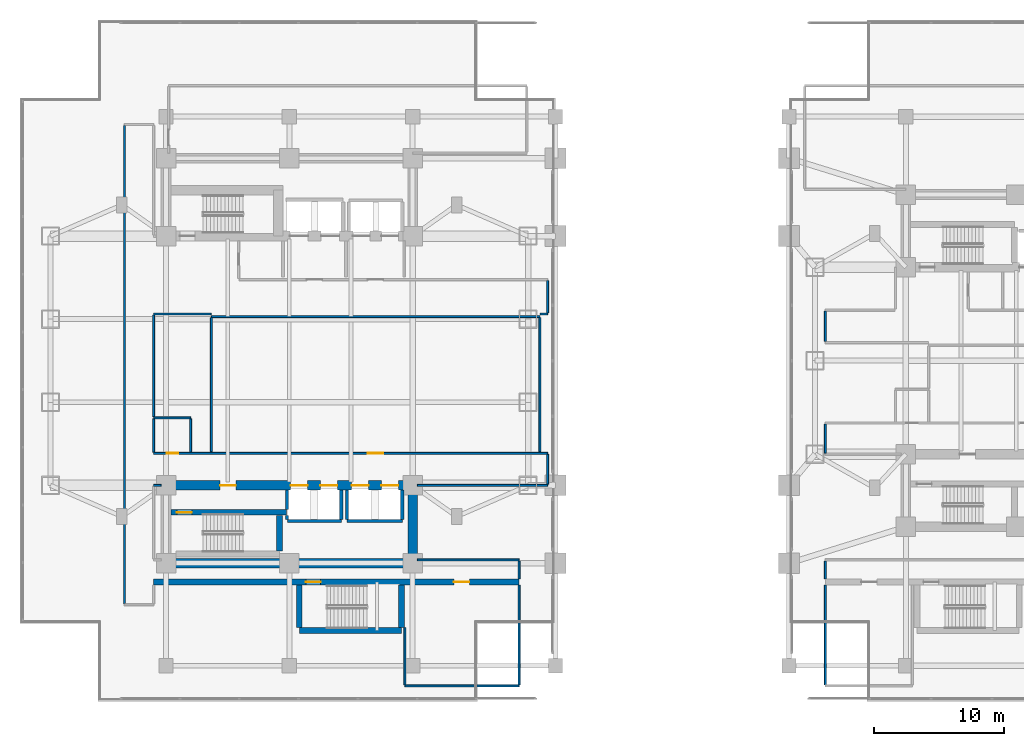
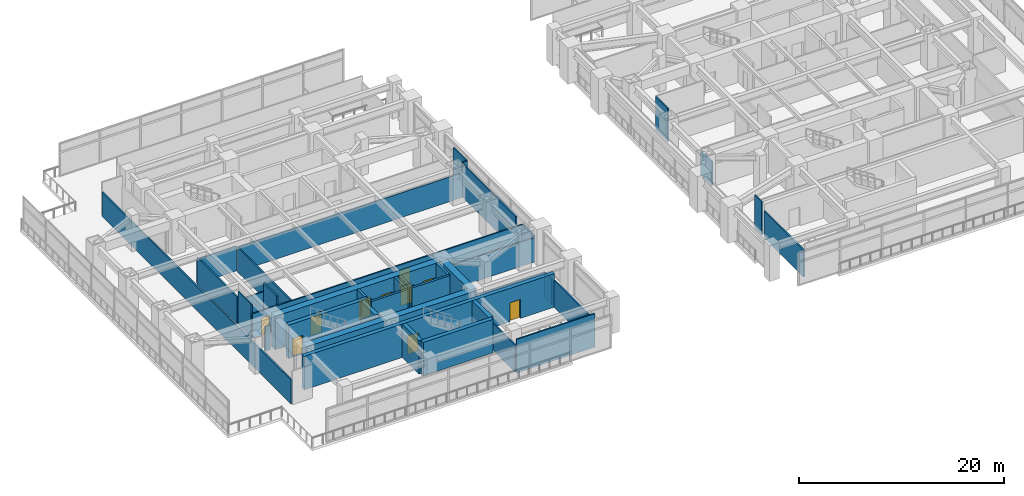
# One storey, part 16 of 31: 40 walls, 10 doors, 10 openings.
"""IFC4 building model written with IfcOpenShell, lengths in metres."""

from ifc_helpers import new_model, si_unit, direction, frame, frame_2d, origin, place, context, subcontext, project, spatial, rectangle, extrude, material, layer, layer_set, type_object, element, fill, save


model = new_model("IFC4")

# Units and contexts
model_context = context("Model", 3, precision=1e-05, world=origin(), true_north=direction((0.0, 1.0)))
body_context = subcontext(model_context, "Body", "Model", "MODEL_VIEW")
ifc_project = project(units=[si_unit("LENGTHUNIT", "METRE"), si_unit("AREAUNIT", "SQUARE_METRE"), si_unit("VOLUMEUNIT", "CUBIC_METRE"), si_unit("PLANEANGLEUNIT", "RADIAN"), si_unit("MASSUNIT", "GRAM", prefix="KILO")], contexts=[model_context])

# Site, building, storey
site_placement = place(None, origin())
site = spatial("IfcSite", under=ifc_project, at=site_placement, CompositionType="ELEMENT")
building_placement = place(site_placement, origin())
building = spatial("IfcBuilding", under=site, at=building_placement, Name="Mirazonda Arch Towers", CompositionType="ELEMENT")
storey_placement = place(building_placement, frame((0.0, 0.0, 5.199951171875)))
storey = spatial("IfcBuildingStorey", under=building, at=storey_placement, Name="L01", CompositionType="ELEMENT", Elevation=5.199951171875)

# Wall
ifc_material_1 = material(Name="Concrete C50/60", Category="concrete")
ifc_layer_1 = layer(ifc_material_1, 0.449951171875, Name="WALL-CORE-450")
ifc_layer_set_1 = layer_set([ifc_layer_1], Name="Concrete C50/60")
wall_type_1 = type_object("IfcWallType", Name="WALL-CORE-450", PredefinedType="SHEAR", material=ifc_layer_set_1)
wall_1_placement = place(storey_placement, frame((21.27001953125, 7.219970703125, 0.0), z_axis=(0.0, 0.0, 1.0), x_axis=(1.0, 0.0, 0.0)))
element("IfcWall", 1, at=wall_1_placement, inside=storey, type_object=wall_type_1, Name="L01 Stair Core Shear Wall 003", PredefinedType="SHEAR", context=body_context, shape_type="SweptSolid", body=[
    extrude(rectangle(XDim=7.85986328125, YDim=0.449951171875, at=frame_2d((3.929931640625, 0.0))), origin(), (0.0, 0.0, 1.0), 3.97998046875),
])

# Wall, openings, doors
wall_2_placement = place(storey_placement, frame((10.050048828125, 10.949951171875, 0.0), z_axis=(0.0, 0.0, 1.0), x_axis=(1.0, 0.0, 0.0)))
wall_2 = element("IfcWall", 2, at=wall_2_placement, inside=storey, type_object=wall_type_1, Name="L01 Stair Core Shear Wall 007", PredefinedType="SHEAR", context=body_context, shape_type="SweptSolid", body=[
    extrude(rectangle(XDim=28.14990234375, YDim=0.449951171875, at=frame_2d((14.074951171875, 0.0))), origin(), (0.0, 0.0, 1.0), 3.97998046875),
])
opening_1_placement = place(wall_2_placement, frame((11.719970703125, 0.0, 0.0)))
opening_1 = element("IfcOpeningElement", 3, at=opening_1_placement, cuts=wall_2, Name="Opening DR-135", PredefinedType="OPENING", context=body_context, shape_type="SweptSolid", body=[
    extrude(rectangle(XDim=1.14990234375, YDim=2.199951171875, at=frame_2d((0.574951171875, 1.10009765625))), frame((0.0, 0.23486328125, 0.0), z_axis=(0.0, -1.0, 0.0), x_axis=(1.0, 0.0, 0.0)), (0.0, 0.0, 1.0), 0.469970703125),
])
opening_2_placement = place(wall_2_placement, frame((23.1298828125, 0.0, 0.0)))
opening_2 = element("IfcOpeningElement", 4, at=opening_2_placement, cuts=wall_2, Name="Opening DR-117", PredefinedType="OPENING", context=body_context, shape_type="SweptSolid", body=[
    extrude(rectangle(XDim=1.199951171875, YDim=2.25, at=frame_2d((0.60009765625, 1.125))), frame((0.0, 0.23486328125, 0.0), z_axis=(0.0, -1.0, 0.0), x_axis=(1.0, 0.0, 0.0)), (0.0, 0.0, 1.0), 0.469970703125),
])
ifc_material_2 = material(Name="Architectural Brushed Steel S355", Category="steel")
door_type_1 = type_object("IfcDoorType", Name="DOOR-FFL-FD90-1200", OperationType="NOTDEFINED", PredefinedType="DOOR", material=ifc_material_2)
door_1_placement = place(opening_2_placement, origin())
door_1 = element("IfcDoor", 5, at=door_1_placement, inside=storey, type_object=door_type_1, Name="L01 L01 South Promenade Boutique Door", OperationType="SINGLE_SWING_LEFT", OverallHeight=2.25, OverallWidth=1.199951171875, PredefinedType="DOOR", context=body_context, shape_type="SweptSolid", body=[
    extrude(rectangle(XDim=1.199951171875, YDim=2.25, at=frame_2d((0.60009765625, 1.125))), frame((0.0, 0.02490234375, 0.0), z_axis=(0.0, -1.0, 0.0), x_axis=(1.0, 0.0, 0.0)), (0.0, 0.0, 1.0), 0.050048828125),
])
fill(opening_2, door_1)
door_type_2 = type_object("IfcDoorType", Name="DOOR-STAIR-FD90-1150", OperationType="NOTDEFINED", PredefinedType="DOOR", material=ifc_material_2)
door_2_placement = place(opening_1_placement, origin())
door_2 = element("IfcDoor", 6, at=door_2_placement, inside=storey, type_object=door_type_2, Name="L01 Protected Podium Stair West Door", OperationType="SINGLE_SWING_RIGHT", OverallHeight=2.199951171875, OverallWidth=1.14990234375, PredefinedType="DOOR", context=body_context, shape_type="SweptSolid", body=[
    extrude(rectangle(XDim=1.14990234375, YDim=2.199951171875, at=frame_2d((0.574951171875, 1.10009765625))), frame((0.0, 0.02490234375, 0.0), z_axis=(0.0, -1.0, 0.0), x_axis=(1.0, 0.0, 0.0)), (0.0, 0.0, 1.0), 0.050048828125),
])
fill(opening_1, door_2)

# Wall, opening, door
wall_3_placement = place(storey_placement, frame((11.3701171875, 16.320068359375, 0.0), z_axis=(0.0, 0.0, 1.0), x_axis=(1.0, 0.0, 0.0)))
wall_3 = element("IfcWall", 7, at=wall_3_placement, inside=storey, type_object=wall_type_1, Name="L01 Stair Core Shear Wall 015", PredefinedType="SHEAR", context=body_context, shape_type="SweptSolid", body=[
    extrude(rectangle(XDim=8.909912109375, YDim=0.449951171875, at=frame_2d((4.455078125, 0.0))), origin(), (0.0, 0.0, 1.0), 3.97998046875),
])
opening_3_placement = place(wall_3_placement, frame((0.469970703125, 0.0, 0.0)))
opening_3 = element("IfcOpeningElement", 8, at=opening_3_placement, cuts=wall_3, Name="Opening DR-135", PredefinedType="OPENING", context=body_context, shape_type="SweptSolid", body=[
    extrude(rectangle(XDim=1.14990234375, YDim=2.199951171875, at=frame_2d((0.574951171875, 1.10009765625))), frame((0.0, 0.23486328125, 0.0), z_axis=(0.0, -1.0, 0.0), x_axis=(1.0, 0.0, 0.0)), (0.0, 0.0, 1.0), 0.469970703125),
])
door_3_placement = place(opening_3_placement, origin())
door_3 = element("IfcDoor", 9, at=door_3_placement, inside=storey, type_object=door_type_2, Name="L01 Protected Exit Stair South Door", OperationType="SINGLE_SWING_LEFT", OverallHeight=2.199951171875, OverallWidth=1.14990234375, PredefinedType="DOOR", context=body_context, shape_type="SweptSolid", body=[
    extrude(rectangle(XDim=1.14990234375, YDim=2.199951171875, at=frame_2d((0.574951171875, 1.10009765625))), frame((0.0, 0.02490234375, 0.0), z_axis=(0.0, -1.0, 0.0), x_axis=(1.0, 0.0, 0.0)), (0.0, 0.0, 1.0), 0.050048828125),
])
fill(opening_3, door_3)

# Walls
wall_4_placement = place(storey_placement, frame((19.72998046875, 13.35498046875, 0.0), z_axis=(0.0, 0.0, 1.0), x_axis=(0.0, 1.0, 0.0)))
element("IfcWall", 10, at=wall_4_placement, inside=storey, type_object=wall_type_1, Name="L01 Stair Core Shear Wall 060", PredefinedType="SHEAR", context=body_context, shape_type="SweptSolid", body=[
    extrude(rectangle(XDim=2.72998046875, YDim=0.449951171875, at=frame_2d((1.364990234375, 0.0))), origin(), (0.0, 0.0, 1.0), 3.97998046875),
])
for number, where, z_axis, x_axis, name in (
    (11, (21.27001953125, 7.455078125, 0.0), (0.0, 0.0, 1.0), (0.0, 1.0, 0.0), "L01 Stair Core Shear Wall 064"),
    (12, (29.1298828125, 7.455078125, 0.0), (0.0, 0.0, 1.0), (0.0, 1.0, 0.0), "L01 Stair Core Shear Wall 070"),
):
    element("IfcWall", number, at=place(storey_placement, frame(where, z_axis=z_axis, x_axis=x_axis)), inside=storey, type_object=wall_type_1, Name=name, PredefinedType="SHEAR", context=body_context, shape_type="SweptSolid", body=[
        extrude(rectangle(XDim=3.260009765625, YDim=0.449951171875, at=frame_2d((1.6298828125, 0.0))), origin(), (0.0, 0.0, 1.0), 3.97998046875),
    ])
ifc_material_3 = material(Name="Concrete C60/75", Category="concrete")
ifc_layer_2 = layer(ifc_material_3, 0.75, Name="WALL-CORE-750")
ifc_layer_set_2 = layer_set([ifc_layer_2], Name="Concrete C60/75")
wall_type_2 = type_object("IfcWallType", Name="WALL-CORE-750", PredefinedType="SHEAR", material=ifc_layer_set_2)
wall_5_placement = place(storey_placement, frame((11.0, 12.39990234375, 0.0), z_axis=(0.0, 0.0, 1.0), x_axis=(1.0, 0.0, 0.0)))
element("IfcWall", 13, at=wall_5_placement, inside=storey, type_object=wall_type_2, Name="L01 T1S-S Core Shear Wall", PredefinedType="SHEAR", context=body_context, shape_type="SweptSolid", body=[
    extrude(rectangle(XDim=19.0, YDim=0.75, at=frame_2d((9.5, 0.0))), origin(), (0.0, 0.0, 1.0), 3.97998046875),
])
wall_6_placement = place(storey_placement, frame((30.0, 12.39990234375, 0.0), z_axis=(0.0, 0.0, 1.0), x_axis=(0.0, 1.0, 0.0)))
element("IfcWall", 14, at=wall_6_placement, inside=storey, type_object=wall_type_2, Name="L01 T1S-E Core Shear Wall", PredefinedType="SHEAR", context=body_context, shape_type="SweptSolid", body=[
    extrude(rectangle(XDim=6.0, YDim=0.75, at=frame_2d((3.0, 0.0))), origin(), (0.0, 0.0, 1.0), 3.97998046875),
])

# Wall, openings, doors
wall_7_placement = place(storey_placement, frame((11.0, 18.39990234375, 0.0), z_axis=(0.0, 0.0, 1.0), x_axis=(1.0, 0.0, 0.0)))
wall_7 = element("IfcWall", 15, at=wall_7_placement, inside=storey, type_object=wall_type_2, Name="L01 T1S-N Core Shear Wall", PredefinedType="SHEAR", context=body_context, shape_type="SweptSolid", body=[
    extrude(rectangle(XDim=19.0, YDim=0.75, at=frame_2d((9.5, 0.0))), origin(), (0.0, 0.0, 1.0), 3.97998046875),
])
opening_4_placement = place(wall_7_placement, frame((4.175048828125, 0.0, 0.0)))
opening_4 = element("IfcOpeningElement", 16, at=opening_4_placement, cuts=wall_7, Name="Opening DR-117", PredefinedType="OPENING", context=body_context, shape_type="SweptSolid", body=[
    extrude(rectangle(XDim=1.199951171875, YDim=2.25, at=frame_2d((0.60009765625, 1.125))), frame((0.0, 0.385009765625, 0.0), z_axis=(0.0, -1.0, 0.0), x_axis=(1.0, 0.0, 0.0)), (0.0, 0.0, 1.0), 0.77001953125),
])
opening_5_placement = place(wall_7_placement, frame((9.60009765625, 0.0, 0.0)))
opening_5 = element("IfcOpeningElement", 17, at=opening_5_placement, cuts=wall_7, Name="Opening LD-111", PredefinedType="OPENING", context=body_context, shape_type="SweptSolid", body=[
    extrude(rectangle(XDim=1.300048828125, YDim=2.300048828125, at=frame_2d((0.64990234375, 1.14990234375))), frame((0.0, 0.385009765625, 0.0), z_axis=(0.0, -1.0, 0.0), x_axis=(1.0, 0.0, 0.0)), (0.0, 0.0, 1.0), 0.77001953125),
])
opening_6_placement = place(wall_7_placement, frame((11.89990234375, 0.0, 0.0)))
opening_6 = element("IfcOpeningElement", 18, at=opening_6_placement, cuts=wall_7, Name="Opening LD-111", PredefinedType="OPENING", context=body_context, shape_type="SweptSolid", body=[
    extrude(rectangle(XDim=1.300048828125, YDim=2.300048828125, at=frame_2d((0.64990234375, 1.14990234375))), frame((0.0, 0.385009765625, 0.0), z_axis=(0.0, -1.0, 0.0), x_axis=(1.0, 0.0, 0.0)), (0.0, 0.0, 1.0), 0.77001953125),
])
opening_7_placement = place(wall_7_placement, frame((14.300048828125, 0.0, 0.0)))
opening_7 = element("IfcOpeningElement", 19, at=opening_7_placement, cuts=wall_7, Name="Opening LD-111", PredefinedType="OPENING", context=body_context, shape_type="SweptSolid", body=[
    extrude(rectangle(XDim=1.300048828125, YDim=2.300048828125, at=frame_2d((0.64990234375, 1.14990234375))), frame((0.0, 0.385009765625, 0.0), z_axis=(0.0, -1.0, 0.0), x_axis=(1.0, 0.0, 0.0)), (0.0, 0.0, 1.0), 0.77001953125),
])
opening_8_placement = place(wall_7_placement, frame((16.60009765625, 0.0, 0.0)))
opening_8 = element("IfcOpeningElement", 20, at=opening_8_placement, cuts=wall_7, Name="Opening LD-111", PredefinedType="OPENING", context=body_context, shape_type="SweptSolid", body=[
    extrude(rectangle(XDim=1.300048828125, YDim=2.300048828125, at=frame_2d((0.64990234375, 1.14990234375))), frame((0.0, 0.385009765625, 0.0), z_axis=(0.0, -1.0, 0.0), x_axis=(1.0, 0.0, 0.0)), (0.0, 0.0, 1.0), 0.77001953125),
])
door_4_placement = place(opening_4_placement, origin())
door_4 = element("IfcDoor", 21, at=door_4_placement, inside=storey, type_object=door_type_1, Name="L01 South Core Stair & Lift Lobby Door", OperationType="SINGLE_SWING_RIGHT", OverallHeight=2.25, OverallWidth=1.199951171875, PredefinedType="DOOR", context=body_context, shape_type="SweptSolid", body=[
    extrude(rectangle(XDim=1.199951171875, YDim=2.25, at=frame_2d((0.60009765625, 1.125))), frame((0.0, 0.02490234375, 0.0), z_axis=(0.0, -1.0, 0.0), x_axis=(1.0, 0.0, 0.0)), (0.0, 0.0, 1.0), 0.050048828125),
])
fill(opening_4, door_4)
door_type_3 = type_object("IfcDoorType", Name="DOOR-LIFT-LAND-1300", OperationType="NOTDEFINED", PredefinedType="DOOR", material=ifc_material_2)
door_5_placement = place(opening_5_placement, origin())
door_5 = element("IfcDoor", 22, at=door_5_placement, inside=storey, type_object=door_type_3, Name="L01 Lift Landing Sliding Door PL-T1M1", OperationType="DOUBLE_DOOR_SLIDING", OverallHeight=2.300048828125, OverallWidth=1.300048828125, PredefinedType="DOOR", context=body_context, shape_type="SweptSolid", body=[
    extrude(rectangle(XDim=1.300048828125, YDim=2.300048828125, at=frame_2d((0.64990234375, 1.14990234375))), frame((0.0, 0.02490234375, 0.0), z_axis=(0.0, -1.0, 0.0), x_axis=(1.0, 0.0, 0.0)), (0.0, 0.0, 1.0), 0.050048828125),
])
fill(opening_5, door_5)
door_6_placement = place(opening_6_placement, origin())
door_6 = element("IfcDoor", 23, at=door_6_placement, inside=storey, type_object=door_type_3, Name="L01 Lift Landing Sliding Door PL-T1M2", OperationType="DOUBLE_DOOR_SLIDING", OverallHeight=2.300048828125, OverallWidth=1.300048828125, PredefinedType="DOOR", context=body_context, shape_type="SweptSolid", body=[
    extrude(rectangle(XDim=1.300048828125, YDim=2.300048828125, at=frame_2d((0.64990234375, 1.14990234375))), frame((0.0, 0.02490234375, 0.0), z_axis=(0.0, -1.0, 0.0), x_axis=(1.0, 0.0, 0.0)), (0.0, 0.0, 1.0), 0.050048828125),
])
fill(opening_6, door_6)
door_7_placement = place(opening_7_placement, origin())
door_7 = element("IfcDoor", 24, at=door_7_placement, inside=storey, type_object=door_type_3, Name="L01 Lift Landing Sliding Door PL-T1H1", OperationType="DOUBLE_DOOR_SLIDING", OverallHeight=2.300048828125, OverallWidth=1.300048828125, PredefinedType="DOOR", context=body_context, shape_type="SweptSolid", body=[
    extrude(rectangle(XDim=1.300048828125, YDim=2.300048828125, at=frame_2d((0.64990234375, 1.14990234375))), frame((0.0, 0.02490234375, 0.0), z_axis=(0.0, -1.0, 0.0), x_axis=(1.0, 0.0, 0.0)), (0.0, 0.0, 1.0), 0.050048828125),
])
fill(opening_7, door_7)
door_8_placement = place(opening_8_placement, origin())
door_8 = element("IfcDoor", 25, at=door_8_placement, inside=storey, type_object=door_type_3, Name="L01 Lift Landing Sliding Door PL-T1H2", OperationType="DOUBLE_DOOR_SLIDING", OverallHeight=2.300048828125, OverallWidth=1.300048828125, PredefinedType="DOOR", context=body_context, shape_type="SweptSolid", body=[
    extrude(rectangle(XDim=1.300048828125, YDim=2.300048828125, at=frame_2d((0.64990234375, 1.14990234375))), frame((0.0, 0.02490234375, 0.0), z_axis=(0.0, -1.0, 0.0), x_axis=(1.0, 0.0, 0.0)), (0.0, 0.0, 1.0), 0.050048828125),
])
fill(opening_8, door_8)

# Walls
ifc_material_4 = material(Name="Fire-Rated Gypsum Stud Partition")
ifc_layer_3 = layer(ifc_material_4, 0.14990234375, Name="WALL-PART-CORR-150")
ifc_layer_set_3 = layer_set([ifc_layer_3], Name="Fire-Rated Gypsum Stud Partition")
wall_type_3 = type_object("IfcWallType", Name="WALL-PART-CORR-150", PredefinedType="PARTITIONING", material=ifc_layer_set_3)
wall_8_placement = place(storey_placement, frame((29.39990234375, 2.949951171875, 0.0), z_axis=(0.0, 0.0, 1.0), x_axis=(1.0, 0.0, 0.0)))
element("IfcWall", 26, at=wall_8_placement, inside=storey, type_object=wall_type_3, Name="L01 Interior Partition 001", PredefinedType="PARTITIONING", context=body_context, shape_type="SweptSolid", body=[
    extrude(rectangle(XDim=8.800048828125, YDim=0.14990234375, at=frame_2d((4.39990234375, 0.0))), origin(), (0.0, 0.0, 1.0), 3.97998046875),
])
wall_9_placement = place(storey_placement, frame((30.3701171875, 12.64990234375, 0.0), z_axis=(0.0, 0.0, 1.0), x_axis=(1.0, 0.0, 0.0)))
element("IfcWall", 27, at=wall_9_placement, inside=storey, type_object=wall_type_3, Name="L01 Interior Partition 010", PredefinedType="PARTITIONING", context=body_context, shape_type="SweptSolid", body=[
    extrude(rectangle(XDim=7.829833984375, YDim=0.14990234375, at=frame_2d((3.9150390625, 0.0))), origin(), (0.0, 0.0, 1.0), 3.024169921875),
])
wall_10_placement = place(storey_placement, frame((10.050048828125, 18.39990234375, 0.0), z_axis=(0.0, 0.0, 1.0), x_axis=(1.0, 0.0, 0.0)))
element("IfcWall", 28, at=wall_10_placement, inside=storey, type_object=wall_type_3, Name="L01 Interior Partition 017", PredefinedType="PARTITIONING", context=body_context, shape_type="SweptSolid", body=[
    extrude(rectangle(XDim=0.579833984375, YDim=0.14990234375, at=frame_2d((0.2900390625, 0.0))), origin(), (0.0, 0.0, 1.0), 2.8720703125),
])
wall_11_placement = place(storey_placement, frame((30.3701171875, 18.39990234375, 0.0), z_axis=(0.0, 0.0, 1.0), x_axis=(1.0, 0.0, 0.0)))
element("IfcWall", 29, at=wall_11_placement, inside=storey, type_object=wall_type_3, Name="L01 Interior Partition 018", PredefinedType="PARTITIONING", context=body_context, shape_type="SweptSolid", body=[
    extrude(rectangle(XDim=10.02978515625, YDim=0.14990234375, at=frame_2d((5.014892578125, 0.0))), origin(), (0.0, 0.0, 1.0), 2.8720703125),
])

# Wall, openings, doors
wall_12_placement = place(storey_placement, frame((10.050048828125, 20.86669921875, 0.0), z_axis=(0.0, 0.0, 1.0), x_axis=(1.0, 0.0, 0.0)))
wall_12 = element("IfcWall", 30, at=wall_12_placement, inside=storey, type_object=wall_type_3, Name="L01 Interior Partition 020", PredefinedType="PARTITIONING", context=body_context, shape_type="SweptSolid", body=[
    extrude(rectangle(XDim=30.349853515625, YDim=0.14990234375, at=frame_2d((15.1748046875, 0.0))), origin(), (0.0, 0.0, 1.0), 2.93212890625),
])
opening_9_placement = place(wall_12_placement, frame((0.9951171875, 0.0, 0.0)))
opening_9 = element("IfcOpeningElement", 31, at=opening_9_placement, cuts=wall_12, Name="Opening DR-120", PredefinedType="OPENING", context=body_context, shape_type="SweptSolid", body=[
    extrude(rectangle(XDim=0.89990234375, YDim=2.10009765625, at=frame_2d((0.449951171875, 1.050048828125))), frame((0.0, 0.0849609375, 0.0), z_axis=(0.0, -1.0, 0.0), x_axis=(1.0, 0.0, 0.0)), (0.0, 0.0, 1.0), 0.169921875),
])
opening_10_placement = place(wall_12_placement, frame((16.5, 0.0, 0.0)))
opening_10 = element("IfcOpeningElement", 32, at=opening_10_placement, cuts=wall_12, Name="Opening DR-117", PredefinedType="OPENING", context=body_context, shape_type="SweptSolid", body=[
    extrude(rectangle(XDim=1.199951171875, YDim=2.25, at=frame_2d((0.60009765625, 1.125))), frame((0.0, 0.0849609375, 0.0), z_axis=(0.0, -1.0, 0.0), x_axis=(1.0, 0.0, 0.0)), (0.0, 0.0, 1.0), 0.169921875),
])
door_9_placement = place(opening_10_placement, origin())
door_9 = element("IfcDoor", 33, at=door_9_placement, inside=storey, type_object=door_type_1, Name="L01 L01 West Retail Arcade Hall Door", OperationType="SINGLE_SWING_RIGHT", OverallHeight=2.25, OverallWidth=1.199951171875, PredefinedType="DOOR", context=body_context, shape_type="SweptSolid", body=[
    extrude(rectangle(XDim=1.199951171875, YDim=2.25, at=frame_2d((0.60009765625, 1.125))), frame((0.0, 0.02490234375, 0.0), z_axis=(0.0, -1.0, 0.0), x_axis=(1.0, 0.0, 0.0)), (0.0, 0.0, 1.0), 0.050048828125),
])
fill(opening_10, door_9)
door_type_4 = type_object("IfcDoorType", Name="DOOR-WC-900", OperationType="NOTDEFINED", PredefinedType="DOOR", material=ifc_material_2)
door_10_placement = place(opening_9_placement, origin())
door_10 = element("IfcDoor", 34, at=door_10_placement, inside=storey, type_object=door_type_4, Name="L01 Common Podium Accessible WC Door", OperationType="SINGLE_SWING_RIGHT", OverallHeight=2.10009765625, OverallWidth=0.89990234375, PredefinedType="DOOR", context=body_context, shape_type="SweptSolid", body=[
    extrude(rectangle(XDim=0.89990234375, YDim=2.10009765625, at=frame_2d((0.449951171875, 1.050048828125))), frame((0.0, 0.02490234375, 0.0), z_axis=(0.0, -1.0, 0.0), x_axis=(1.0, 0.0, 0.0)), (0.0, 0.0, 1.0), 0.050048828125),
])
fill(opening_9, door_10)

# Walls
wall_13_placement = place(storey_placement, frame((10.050048828125, 23.60009765625, 0.0), z_axis=(0.0, 0.0, 1.0), x_axis=(1.0, 0.0, 0.0)))
element("IfcWall", 35, at=wall_13_placement, inside=storey, type_object=wall_type_3, Name="L01 Interior Partition 024", PredefinedType="PARTITIONING", context=body_context, shape_type="SweptSolid", body=[
    extrude(rectangle(XDim=2.849853515625, YDim=0.14990234375, at=frame_2d((1.4248046875, 0.0))), origin(), (0.0, 0.0, 1.0), 2.93212890625),
])
wall_14_placement = place(storey_placement, frame((14.5, 31.39990234375, 0.0), z_axis=(0.0, 0.0, 1.0), x_axis=(1.0, 0.0, 0.0)))
element("IfcWall", 36, at=wall_14_placement, inside=storey, type_object=wall_type_3, Name="L01 Interior Partition 030", PredefinedType="PARTITIONING", context=body_context, shape_type="SweptSolid", body=[
    extrude(rectangle(XDim=25.300048828125, YDim=0.14990234375, at=frame_2d((12.64990234375, 0.0))), origin(), (0.0, 0.0, 1.0), 2.93212890625),
])
wall_15_placement = place(storey_placement, frame((10.050048828125, 31.60009765625, 0.0), z_axis=(0.0, 0.0, 1.0), x_axis=(1.0, 0.0, 0.0)))
element("IfcWall", 37, at=wall_15_placement, inside=storey, type_object=wall_type_3, Name="L01 Interior Partition 031", PredefinedType="PARTITIONING", context=body_context, shape_type="SweptSolid", body=[
    extrude(rectangle(XDim=4.429931640625, YDim=0.14990234375, at=frame_2d((2.21484375, 0.0))), origin(), (0.0, 0.0, 1.0), 2.93212890625),
])
wall_16_placement = place(storey_placement, frame((39.820068359375, 31.60009765625, 0.0), z_axis=(0.0, 0.0, 1.0), x_axis=(1.0, 0.0, 0.0)))
element("IfcWall", 38, at=wall_16_placement, inside=storey, type_object=wall_type_3, Name="L01 Interior Partition 032", PredefinedType="PARTITIONING", context=body_context, shape_type="SweptSolid", body=[
    extrude(rectangle(XDim=0.579833984375, YDim=0.14990234375, at=frame_2d((0.2900390625, 0.0))), origin(), (0.0, 0.0, 1.0), 3.97998046875),
])
wall_17_placement = place(storey_placement, frame((7.800048828125, 9.284912109375, 0.0), z_axis=(0.0, 0.0, 1.0), x_axis=(0.0, 1.0, 0.0)))
element("IfcWall", 39, at=wall_17_placement, inside=storey, type_object=wall_type_3, Name="L01 Interior Partition 050", PredefinedType="PARTITIONING", context=body_context, shape_type="SweptSolid", body=[
    extrude(rectangle(XDim=36.830078125, YDim=0.14990234375, at=frame_2d((18.4150390625, 0.0))), origin(), (0.0, 0.0, 1.0), 2.8720703125),
])
wall_18_placement = place(storey_placement, frame((10.050048828125, 20.95166015625, 0.0), z_axis=(0.0, 0.0, 1.0), x_axis=(0.0, 1.0, 0.0)))
element("IfcWall", 40, at=wall_18_placement, inside=storey, type_object=wall_type_3, Name="L01 Interior Partition 053", PredefinedType="PARTITIONING", context=body_context, shape_type="SweptSolid", body=[
    extrude(rectangle(XDim=2.563232421875, YDim=0.14990234375, at=frame_2d((1.28173828125, 0.0))), origin(), (0.0, 0.0, 1.0), 3.97998046875),
])
wall_19_placement = place(storey_placement, frame((10.050048828125, 23.68505859375, 0.0), z_axis=(0.0, 0.0, 1.0), x_axis=(0.0, 1.0, 0.0)))
element("IfcWall", 41, at=wall_19_placement, inside=storey, type_object=wall_type_3, Name="L01 Interior Partition 054", PredefinedType="PARTITIONING", context=body_context, shape_type="SweptSolid", body=[
    extrude(rectangle(XDim=7.829833984375, YDim=0.14990234375, at=frame_2d((3.9150390625, 0.0))), origin(), (0.0, 0.0, 1.0), 3.198974609375),
])
wall_20_placement = place(storey_placement, frame((12.89990234375, 20.95166015625, 0.0), z_axis=(0.0, 0.0, 1.0), x_axis=(0.0, 1.0, 0.0)))
element("IfcWall", 42, at=wall_20_placement, inside=storey, type_object=wall_type_3, Name="L01 Interior Partition 057", PredefinedType="PARTITIONING", context=body_context, shape_type="SweptSolid", body=[
    extrude(rectangle(XDim=2.563232421875, YDim=0.14990234375, at=frame_2d((1.28173828125, 0.0))), origin(), (0.0, 0.0, 1.0), 3.97998046875),
])
wall_21_placement = place(storey_placement, frame((14.5, 21.0, 0.0), z_axis=(0.0, 0.0, 1.0), x_axis=(0.0, 1.0, 0.0)))
element("IfcWall", 43, at=wall_21_placement, inside=storey, type_object=wall_type_3, Name="L01 Interior Partition 058", PredefinedType="PARTITIONING", context=body_context, shape_type="SweptSolid", body=[
    extrude(rectangle(XDim=10.31494140625, YDim=0.14990234375, at=frame_2d((5.157470703125, 0.0))), origin(), (0.0, 0.0, 1.0), 2.93212890625),
])
wall_22_placement = place(storey_placement, frame((29.39990234375, 3.034912109375, 0.0), z_axis=(0.0, 0.0, 1.0), x_axis=(0.0, 1.0, 0.0)))
element("IfcWall", 44, at=wall_22_placement, inside=storey, type_object=wall_type_3, Name="L01 Interior Partition 074", PredefinedType="PARTITIONING", context=body_context, shape_type="SweptSolid", body=[
    extrude(rectangle(XDim=4.400146484375, YDim=0.14990234375, at=frame_2d((2.2001953125, 0.0))), origin(), (0.0, 0.0, 1.0), 3.198974609375),
])
wall_23_placement = place(storey_placement, frame((38.199951171875, 3.034912109375, 0.0), z_axis=(0.0, 0.0, 1.0), x_axis=(0.0, 1.0, 0.0)))
element("IfcWall", 45, at=wall_23_placement, inside=storey, type_object=wall_type_3, Name="L01 Interior Partition 075", PredefinedType="PARTITIONING", context=body_context, shape_type="SweptSolid", body=[
    extrude(rectangle(XDim=7.68017578125, YDim=0.14990234375, at=frame_2d((3.840087890625, 0.0))), origin(), (0.0, 0.0, 1.0), 3.198974609375),
])
wall_24_placement = place(storey_placement, frame((38.199951171875, 11.18505859375, 0.0), z_axis=(0.0, 0.0, 1.0), x_axis=(0.0, 1.0, 0.0)))
element("IfcWall", 46, at=wall_24_placement, inside=storey, type_object=wall_type_3, Name="L01 Interior Partition 076", PredefinedType="PARTITIONING", context=body_context, shape_type="SweptSolid", body=[
    extrude(rectangle(XDim=1.3798828125, YDim=0.14990234375, at=frame_2d((0.68994140625, 0.0))), origin(), (0.0, 0.0, 1.0), 3.024169921875),
])
wall_25_placement = place(storey_placement, frame((39.800048828125, 21.0, 0.0), z_axis=(0.0, 0.0, 1.0), x_axis=(0.0, 1.0, 0.0)))
element("IfcWall", 47, at=wall_25_placement, inside=storey, type_object=wall_type_3, Name="L01 Interior Partition 078", PredefinedType="PARTITIONING", context=body_context, shape_type="SweptSolid", body=[
    extrude(rectangle(XDim=10.31494140625, YDim=0.14990234375, at=frame_2d((5.157470703125, 0.0))), origin(), (0.0, 0.0, 1.0), 3.97998046875),
])
wall_26_placement = place(storey_placement, frame((40.39990234375, 18.485107421875, 0.0), z_axis=(0.0, 0.0, 1.0), x_axis=(0.0, 1.0, 0.0)))
element("IfcWall", 48, at=wall_26_placement, inside=storey, type_object=wall_type_3, Name="L01 Interior Partition 079", PredefinedType="PARTITIONING", context=body_context, shape_type="SweptSolid", body=[
    extrude(rectangle(XDim=2.296630859375, YDim=0.14990234375, at=frame_2d((1.1484375, 0.0))), origin(), (0.0, 0.0, 1.0), 3.024169921875),
])
wall_27_placement = place(storey_placement, frame((40.39990234375, 31.68505859375, 0.0), z_axis=(0.0, 0.0, 1.0), x_axis=(0.0, 1.0, 0.0)))
element("IfcWall", 49, at=wall_27_placement, inside=storey, type_object=wall_type_3, Name="L01 Interior Partition 080", PredefinedType="PARTITIONING", context=body_context, shape_type="SweptSolid", body=[
    extrude(rectangle(XDim=2.47998046875, YDim=0.14990234375, at=frame_2d((1.239990234375, 0.0))), origin(), (0.0, 0.0, 1.0), 3.97998046875),
])
wall_28_placement = place(storey_placement, frame((61.800048828125, 3.034912109375, 0.0), z_axis=(0.0, 0.0, 1.0), x_axis=(0.0, 1.0, 0.0)))
element("IfcWall", 50, at=wall_28_placement, inside=storey, type_object=wall_type_3, Name="L01 Interior Partition 082", PredefinedType="PARTITIONING", context=body_context, shape_type="SweptSolid", body=[
    extrude(rectangle(XDim=7.68017578125, YDim=0.14990234375, at=frame_2d((3.840087890625, 0.0))), origin(), (0.0, 0.0, 1.0), 3.198974609375),
])
wall_29_placement = place(storey_placement, frame((61.800048828125, 11.18505859375, 0.0), z_axis=(0.0, 0.0, 1.0), x_axis=(0.0, 1.0, 0.0)))
element("IfcWall", 51, at=wall_29_placement, inside=storey, type_object=wall_type_3, Name="L01 Interior Partition 083", PredefinedType="PARTITIONING", context=body_context, shape_type="SweptSolid", body=[
    extrude(rectangle(XDim=1.3798828125, YDim=0.14990234375, at=frame_2d((0.68994140625, 0.0))), origin(), (0.0, 0.0, 1.0), 3.97998046875),
])
wall_30_placement = place(storey_placement, frame((61.800048828125, 20.885009765625, 0.0), z_axis=(0.0, 0.0, 1.0), x_axis=(0.0, 1.0, 0.0)))
element("IfcWall", 52, at=wall_30_placement, inside=storey, type_object=wall_type_3, Name="L01 Interior Partition 084", PredefinedType="PARTITIONING", context=body_context, shape_type="SweptSolid", body=[
    extrude(rectangle(XDim=2.22998046875, YDim=0.14990234375, at=frame_2d((1.114990234375, 0.0))), origin(), (0.0, 0.0, 1.0), 2.8720703125),
])
wall_31_placement = place(storey_placement, frame((61.800048828125, 29.485107421875, 0.0), z_axis=(0.0, 0.0, 1.0), x_axis=(0.0, 1.0, 0.0)))
element("IfcWall", 53, at=wall_31_placement, inside=storey, type_object=wall_type_3, Name="L01 Interior Partition 085", PredefinedType="PARTITIONING", context=body_context, shape_type="SweptSolid", body=[
    extrude(rectangle(XDim=2.329833984375, YDim=0.14990234375, at=frame_2d((1.1650390625, 0.0))), origin(), (0.0, 0.0, 1.0), 3.97998046875),
])
ifc_material_5 = material(Name="Concrete C40/50", Category="concrete")
ifc_layer_4 = layer(ifc_material_5, 0.25, Name="WALL-SHAFT-250")
ifc_layer_set_4 = layer_set([ifc_layer_4], Name="Concrete C40/50")
wall_type_4 = type_object("IfcWallType", Name="WALL-SHAFT-250", PredefinedType="SOLIDWALL", material=ifc_layer_set_4)
wall_32_placement = place(storey_placement, frame((20.35009765625, 15.64990234375, 0.0), z_axis=(0.0, 0.0, 1.0), x_axis=(1.0, 0.0, 0.0)))
element("IfcWall", 54, at=wall_32_placement, inside=storey, type_object=wall_type_4, Name="L01 Interior Partition 013", PredefinedType="SOLIDWALL", context=body_context, shape_type="SweptSolid", body=[
    extrude(rectangle(XDim=4.14990234375, YDim=0.25, at=frame_2d((2.074951171875, 0.0))), origin(), (0.0, 0.0, 1.0), 3.97998046875),
])
wall_33_placement = place(storey_placement, frame((24.949951171875, 15.64990234375, 0.0), z_axis=(0.0, 0.0, 1.0), x_axis=(1.0, 0.0, 0.0)))
element("IfcWall", 55, at=wall_33_placement, inside=storey, type_object=wall_type_4, Name="L01 Interior Partition 014", PredefinedType="SOLIDWALL", context=body_context, shape_type="SweptSolid", body=[
    extrude(rectangle(XDim=4.25, YDim=0.25, at=frame_2d((2.125, 0.0))), origin(), (0.0, 0.0, 1.0), 3.97998046875),
])
wall_34_placement = place(storey_placement, frame((20.31494140625, 15.784912109375, 0.0), z_axis=(0.0, 0.0, 1.0), x_axis=(0.0, 1.0, 0.0)))
element("IfcWall", 56, at=wall_34_placement, inside=storey, type_object=wall_type_4, Name="L01 Interior Partition 062", PredefinedType="SOLIDWALL", context=body_context, shape_type="SweptSolid", body=[
    extrude(rectangle(XDim=0.300048828125, YDim=0.25, at=frame_2d((0.14990234375, 0.0))), origin(), (0.0, 0.0, 1.0), 3.97998046875),
])
wall_35_placement = place(storey_placement, frame((20.31494140625, 16.554931640625, 0.0), z_axis=(0.0, 0.0, 1.0), x_axis=(0.0, 1.0, 0.0)))
element("IfcWall", 57, at=wall_35_placement, inside=storey, type_object=wall_type_4, Name="L01 Interior Partition 063", PredefinedType="SOLIDWALL", context=body_context, shape_type="SweptSolid", body=[
    extrude(rectangle(XDim=1.47509765625, YDim=0.25, at=frame_2d((0.737548828125, 0.0))), origin(), (0.0, 0.0, 1.0), 3.97998046875),
])
for number, where, z_axis, x_axis, name in (
    (58, (24.5, 15.784912109375, 0.0), (0.0, 0.0, 1.0), (0.0, 1.0, 0.0), "L01 Interior Partition 065"),
    (59, (24.949951171875, 15.784912109375, 0.0), (0.0, 0.0, 1.0), (0.0, 1.0, 0.0), "L01 Interior Partition 067"),
    (60, (29.199951171875, 15.784912109375, 0.0), (0.0, 0.0, 1.0), (0.0, 1.0, 0.0), "L01 Interior Partition 071"),
):
    element("IfcWall", number, at=place(storey_placement, frame(where, z_axis=z_axis, x_axis=x_axis)), inside=storey, type_object=wall_type_4, Name=name, PredefinedType="SOLIDWALL", context=body_context, shape_type="SweptSolid", body=[
        extrude(rectangle(XDim=2.2451171875, YDim=0.25, at=frame_2d((1.12255859375, 0.0))), origin(), (0.0, 0.0, 1.0), 3.97998046875),
    ])

save(model, "model.ifc")
